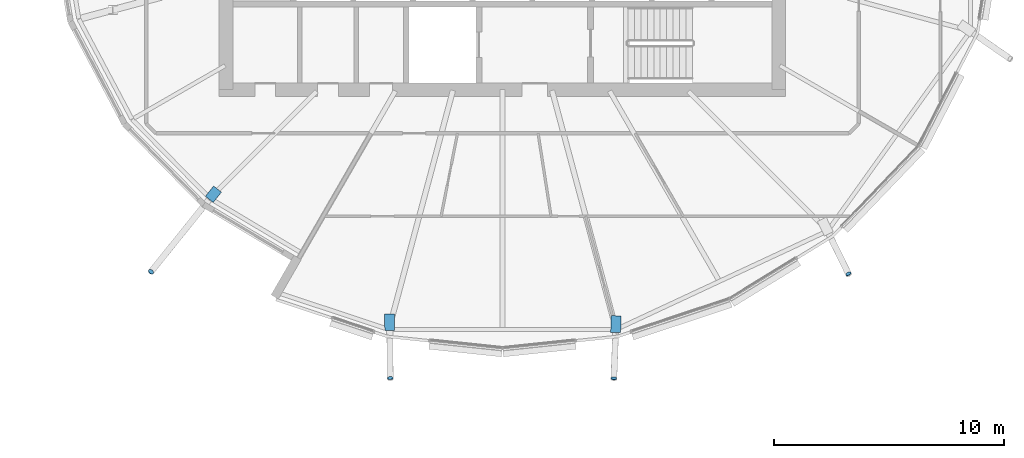
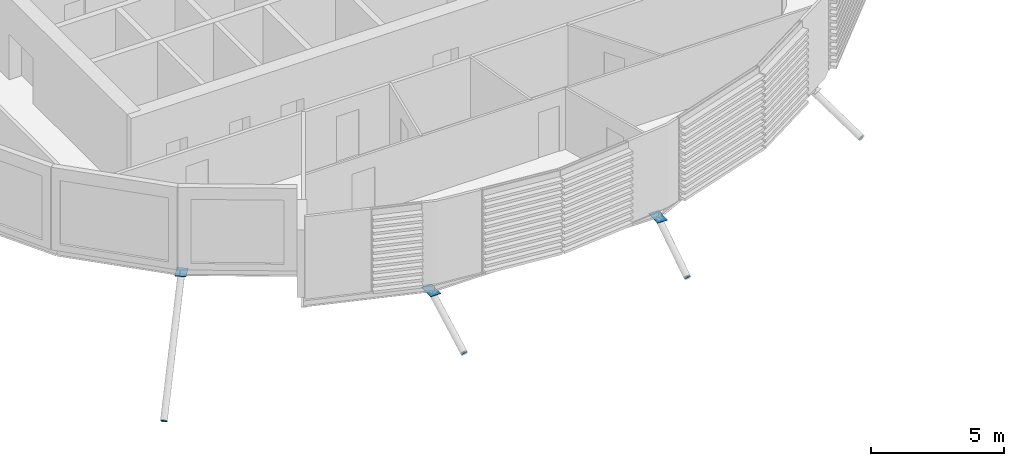
# One storey, part 25 of 35: 7 discrete accessories.
"""IFC4 building model written with IfcOpenShell, lengths in metres."""

from ifc_helpers import new_model, si_unit, direction, frame, origin, origin_2d, place, context, subcontext, project, spatial, polyline, rectangle, circle, outline, extrude, material, material_profile, profile_set, type_object, element, save


model = new_model("IFC4")

# Units and contexts
model_context = context("Model", 3, precision=1e-05, world=origin(), true_north=direction((0.0, 1.0)))
body_context = subcontext(model_context, "Body", "Model", "MODEL_VIEW")
ifc_project = project(units=[si_unit("LENGTHUNIT", "METRE"), si_unit("AREAUNIT", "SQUARE_METRE"), si_unit("VOLUMEUNIT", "CUBIC_METRE"), si_unit("PLANEANGLEUNIT", "RADIAN"), si_unit("MASSUNIT", "GRAM", prefix="KILO")], contexts=[model_context])

# Site, building, storey
site_placement = place(None, origin())
site = spatial("IfcSite", under=ifc_project, at=site_placement, CompositionType="ELEMENT")
building_placement = place(site_placement, origin())
building = spatial("IfcBuilding", under=site, at=building_placement, Name="Rimbun Link Towers", CompositionType="ELEMENT")
storey_placement = place(building_placement, frame((0.0, 0.0, 196.89990234375)))
storey = spatial("IfcBuildingStorey", under=building, at=storey_placement, Name="L48", CompositionType="ELEMENT", Elevation=196.89990234375)

# Discrete accessories
ifc_material_1 = material(Name="Steel S355J2H", Category="steel")
ifc_material_profile_1 = material_profile(ifc_material_1, circle(Radius=0.1240234375, at=origin_2d()), Name="PL D248")
ifc_profile_set_1 = profile_set([ifc_material_profile_1], Name="Steel S355J2H")
discrete_accessory_type_1 = type_object("IfcDiscreteAccessoryType", Name="Link foot sealing plate D248X20", PredefinedType="BRACKET", material=ifc_profile_set_1)
discrete_accessory_1_placement = place(storey_placement, frame((-47.009521484375, -15.90087890625, -4.451416015625), z_axis=(-0.465496159673, -0.58799514906, -0.661494542693), x_axis=(0.784045824462, -0.620702944366, 0.0)))
element("IfcDiscreteAccessory", 1, at=discrete_accessory_1_placement, inside=storey, type_object=discrete_accessory_type_1, Name="Link foot sealing plate T1 L48 15", PredefinedType="BRACKET", context=body_context, shape_type="SweptSolid", body=[
    extrude(circle(Radius=0.1240234375, at=origin_2d()), origin(), (0.0, 0.0, 1.0), 0.02001953125),
])
discrete_accessory_2_placement = place(storey_placement, frame((-36.625244140625, -20.51611328125, -2.143798828125), z_axis=(0.012270169564, -0.871182039035, -0.490806782555), x_axis=(0.999900828085, 0.014083110255, 0.0)))
element("IfcDiscreteAccessory", 2, at=discrete_accessory_2_placement, inside=storey, type_object=discrete_accessory_type_1, Name="Link foot sealing plate T1 L48 17", PredefinedType="BRACKET", context=body_context, shape_type="SweptSolid", body=[
    extrude(circle(Radius=0.1240234375, at=origin_2d()), origin(), (0.0, 0.0, 1.0), 0.019775390625),
])
discrete_accessory_3_placement = place(storey_placement, frame((-26.913330078125, -20.525390625, -2.0546875), z_axis=(-0.036612601297, -0.878702431126, -0.47596381686), x_axis=(0.999133073092, -0.041630544712, 0.0)))
element("IfcDiscreteAccessory", 3, at=discrete_accessory_3_placement, inside=storey, type_object=discrete_accessory_type_1, Name="Link foot sealing plate T1 L48 19", PredefinedType="BRACKET", context=body_context, shape_type="SweptSolid", body=[
    extrude(circle(Radius=0.1240234375, at=origin_2d()), origin(), (0.0, 0.0, 1.0), 0.02001953125),
])
discrete_accessory_4_placement = place(storey_placement, frame((-16.72802734375, -15.98779296875, -1.96142578125), z_axis=(0.381266032616, -0.77483096951, -0.504255075395), x_axis=(0.897257484736, 0.441507651219, 0.0)))
element("IfcDiscreteAccessory", 4, at=discrete_accessory_4_placement, inside=storey, type_object=discrete_accessory_type_1, Name="Link foot sealing plate T1 L48 21", PredefinedType="BRACKET", context=body_context, shape_type="SweptSolid", body=[
    extrude(circle(Radius=0.1240234375, at=origin_2d()), origin(), (0.0, 0.0, 1.0), 0.019775390625),
])
ifc_material_2 = material(Name="Steel S355J2H", Category="steel")
ifc_material_profile_2 = material_profile(ifc_material_2, rectangle(XDim=0.43310546875, YDim=0.43310546875, at=origin_2d()), Name="PL 433x433")
ifc_profile_set_2 = profile_set([ifc_material_profile_2], Name="Steel S355J2H")
discrete_accessory_type_2 = type_object("IfcDiscreteAccessoryType", Name="Link head end plate 433X20", PredefinedType="BRACKET", material=ifc_profile_set_2)
discrete_accessory_5_placement = place(storey_placement, frame((0.0, 0.0, -0.623291015625)))
element("IfcDiscreteAccessory", 5, at=discrete_accessory_5_placement, inside=storey, type_object=discrete_accessory_type_2, Name="Link head end plate T1 L48 15", PredefinedType="BRACKET", context=body_context, shape_type="SweptSolid", body=[
    extrude(outline(polyline([(-44.293212890625, -12.181396484375), (-44.651611328125, -12.62646484375), (-44.314208984375, -12.89794921875), (-43.9560546875, -12.452880859375), (-44.293212890625, -12.181396484375)])), origin(), (0.0, 0.0, 1.0), 0.02001953125),
])
discrete_accessory_6_placement = place(storey_placement, frame((0.0, 0.0, -0.7724609375)))
element("IfcDiscreteAccessory", 6, at=discrete_accessory_6_placement, inside=storey, type_object=discrete_accessory_type_2, Name="Link head end plate T1 L48 17", PredefinedType="BRACKET", context=body_context, shape_type="SweptSolid", body=[
    extrude(outline(polyline([(-36.868408203125, -17.748046875), (-36.861572265625, -18.460693359375), (-36.4287109375, -18.45654296875), (-36.435546875, -17.743896484375), (-36.868408203125, -17.748046875)])), origin(), (0.0, 0.0, 1.0), 0.02001953125),
])
discrete_accessory_7_placement = place(storey_placement, frame((0.0, 0.0, -0.7724609375)))
element("IfcDiscreteAccessory", 7, at=discrete_accessory_7_placement, inside=storey, type_object=discrete_accessory_type_2, Name="Link head end plate T1 L48 19", PredefinedType="BRACKET", context=body_context, shape_type="SweptSolid", body=[
    extrude(outline(polyline([(-27.025146484375, -17.80810546875), (-27.05322265625, -18.53662109375), (-26.62060546875, -18.553466796875), (-26.59228515625, -17.82470703125), (-27.025146484375, -17.80810546875)])), origin(), (0.0, 0.0, 1.0), 0.02001953125),
])

save(model, "model.ifc")
